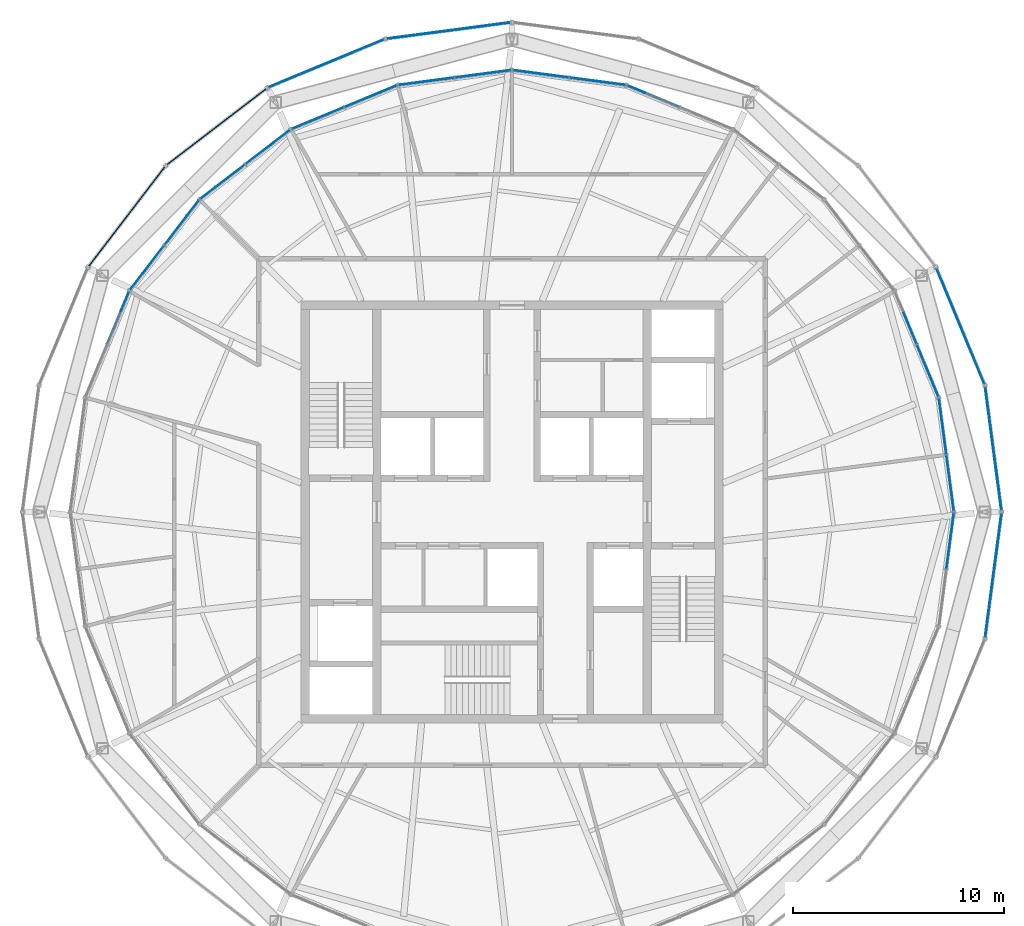
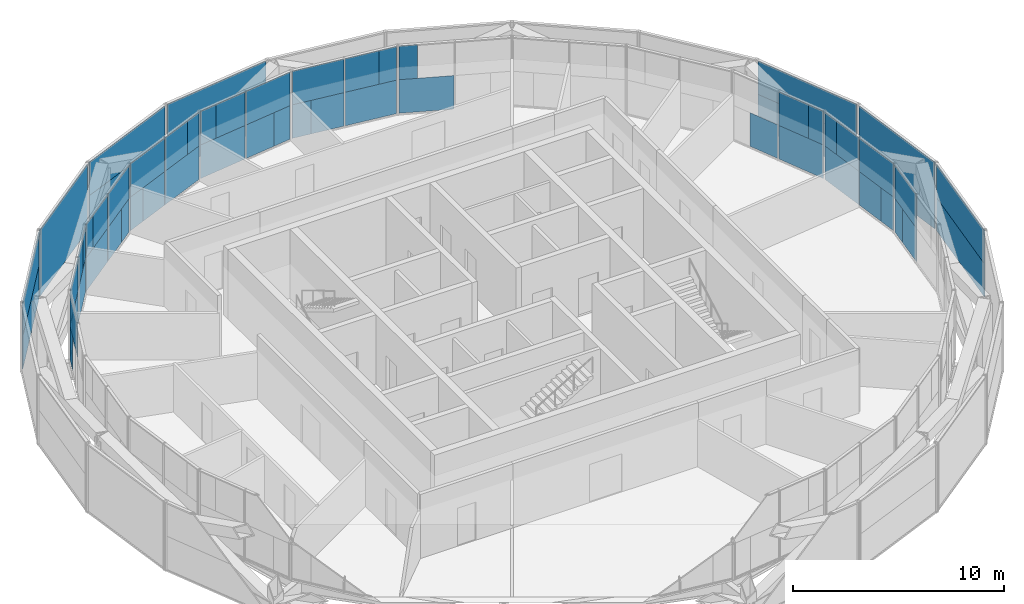
# One storey, part 12 of 17: 58 plates, 17 elements without a shape of their own.
"""IFC4 building model written with IfcOpenShell, lengths in metres."""

from ifc_helpers import new_model, si_unit, direction, frame, origin, origin_2d, place, context, subcontext, project, spatial, rectangle, extrude, material, layer, layer_set, type_object, element, aggregate, save


model = new_model("IFC4")

# Units and contexts
model_context = context("Model", 3, precision=1e-05, world=origin(), true_north=direction((0.0, 1.0)))
body_context = subcontext(model_context, "Body", "Model", "MODEL_VIEW")
ifc_project = project(units=[si_unit("LENGTHUNIT", "METRE"), si_unit("AREAUNIT", "SQUARE_METRE"), si_unit("VOLUMEUNIT", "CUBIC_METRE"), si_unit("PLANEANGLEUNIT", "RADIAN"), si_unit("MASSUNIT", "GRAM", prefix="KILO")], contexts=[model_context])

# Site, building, storey
site_placement = place(None, origin())
site = spatial("IfcSite", under=ifc_project, at=site_placement, CompositionType="ELEMENT")
building_placement = place(site_placement, origin())
building = spatial("IfcBuilding", under=site, at=building_placement, Name="Golbaran Civic Tower", CompositionType="ELEMENT")
storey_placement = place(building_placement, frame((0.0, 0.0, 280.0)))
storey = spatial("IfcBuildingStorey", under=building, at=storey_placement, Name="L68", CompositionType="ELEMENT", Elevation=280.0)

# Curtain wall, plates
ifc_material_1 = material(Name="Aluminium and glass", Category="aluminium")
curtain_wall_type_1 = type_object("IfcCurtainWallType", Name="INNER SKIN CURTAIN WALL EXECUTIVE", PredefinedType="NOTDEFINED", material=ifc_material_1)
curtain_wall_1_placement = place(storey_placement, origin())
curtain_wall_1 = element("IfcCurtainWall", 1, at=curtain_wall_1_placement, inside=storey, type_object=curtain_wall_type_1, Name="Inner skin L68 facet 1 CW2", ObjectType="INNER SKIN", PredefinedType="USERDEFINED")
ifc_material_2 = material(Name="Clear insulating glass", Category="glass")
ifc_layer_1 = layer(ifc_material_2, 0.031982421875, Name="Clear insulating glass")
ifc_layer_set_1 = layer_set([ifc_layer_1], Name="Clear insulating glass")
plate_type_1 = type_object("IfcPlateType", Name="INNER SKIN CURTAIN WALL EXECUTIVE GLAZED PANEL", PredefinedType="CURTAIN_PANEL", material=ifc_layer_set_1)
plate_1_placement = place(storey_placement, frame((20.865966796875, 0.540283203125, 0.06005859375), z_axis=(0.0, 0.0, 1.0), x_axis=(-0.130526192237, 0.991444861372, 0.0)))
plate_1 = element("IfcPlate", 2, at=plate_1_placement, type_object=plate_type_1, Name="CW2 panel 1.1 part 1", PredefinedType="CURTAIN_PANEL", context=body_context, shape_type="SweptSolid", body=[
    extrude(rectangle(XDim=0.969970703125, YDim=0.031982421875, at=origin_2d()), origin(), (0.0, 0.0, 1.0), 1.93994140625),
])
plate_2_placement = place(storey_placement, frame((20.2900390625, 4.914306640625, 2.0), z_axis=(0.0, 0.0, 1.0), x_axis=(-0.130526192237, 0.991444861372, 0.0)))
plate_2 = element("IfcPlate", 3, at=plate_2_placement, type_object=plate_type_1, Name="CW2 panel 2.1 part 3", PredefinedType="CURTAIN_PANEL", context=body_context, shape_type="SweptSolid", body=[
    extrude(rectangle(XDim=0.897705078125, YDim=0.031982421875, at=origin_2d()), origin(), (0.0, 0.0, 1.0), 1.93994140625),
])

# Curtain wall, plate
curtain_wall_2_placement = place(storey_placement, origin())
curtain_wall_2 = element("IfcCurtainWall", 4, at=curtain_wall_2_placement, inside=storey, type_object=curtain_wall_type_1, Name="Inner skin L68 facet 2 CW2", ObjectType="INNER SKIN", PredefinedType="USERDEFINED")
plate_3_placement = place(storey_placement, frame((20.029052734375, 5.888671875, 2.0), z_axis=(0.0, 0.0, 1.0), x_axis=(-0.382683432349, 0.923879532518, 0.0)))
plate_3 = element("IfcPlate", 5, at=plate_3_placement, type_object=plate_type_1, Name="CW2 panel 1.1 part 2", PredefinedType="CURTAIN_PANEL", context=body_context, shape_type="SweptSolid", body=[
    extrude(rectangle(XDim=0.89697265625, YDim=0.031982421875, at=origin_2d()), origin(), (0.0, 0.0, 1.0), 1.93994140625),
])

curtain_wall_3_placement = place(storey_placement, origin())
curtain_wall_3 = element("IfcCurtainWall", 6, at=curtain_wall_3_placement, inside=storey, type_object=curtain_wall_type_1, Name="Inner skin L68 facet 5 CW2", ObjectType="INNER SKIN", PredefinedType="USERDEFINED")
plate_4_placement = place(storey_placement, frame((5.88916015625, 20.02880859375, 2.0), z_axis=(0.0, 0.0, 1.0), x_axis=(-0.923879532518, 0.382683432349, 0.0)))
plate_4 = element("IfcPlate", 7, at=plate_4_placement, type_object=plate_type_1, Name="CW2 panel 2.1 part 3", PredefinedType="CURTAIN_PANEL", context=body_context, shape_type="SweptSolid", body=[
    extrude(rectangle(XDim=0.897705078125, YDim=0.031982421875, at=origin_2d()), origin(), (0.0, 0.0, 1.0), 1.93994140625),
])

# Curtain wall, plates
curtain_wall_4_placement = place(storey_placement, origin())
curtain_wall_4 = element("IfcCurtainWall", 8, at=curtain_wall_4_placement, inside=storey, type_object=curtain_wall_type_1, Name="Inner skin L68 facet 6 CW2", ObjectType="INNER SKIN", PredefinedType="USERDEFINED")
plate_5_placement = place(storey_placement, frame((4.914794921875, 20.2900390625, 2.0), z_axis=(0.0, 0.0, 1.0), x_axis=(-0.991444861372, 0.130526192237, 0.0)))
plate_5 = element("IfcPlate", 9, at=plate_5_placement, type_object=plate_type_1, Name="CW2 panel 1.1 part 2", PredefinedType="CURTAIN_PANEL", context=body_context, shape_type="SweptSolid", body=[
    extrude(rectangle(XDim=0.89697265625, YDim=0.031982421875, at=origin_2d()), origin(), (0.0, 0.0, 1.0), 1.93994140625),
])
plate_6_placement = place(storey_placement, frame((0.540283203125, 20.865966796875, 0.06005859375), z_axis=(0.0, 0.0, 1.0), x_axis=(-0.991444861372, 0.130526192237, 0.0)))
plate_6 = element("IfcPlate", 10, at=plate_6_placement, type_object=plate_type_1, Name="CW2 panel 2.1 part 2", PredefinedType="CURTAIN_PANEL", context=body_context, shape_type="SweptSolid", body=[
    extrude(rectangle(XDim=0.9697265625, YDim=0.031982421875, at=origin_2d()), origin(), (0.0, 0.0, 1.0), 1.93994140625),
])

curtain_wall_5_placement = place(storey_placement, origin())
curtain_wall_5 = element("IfcCurtainWall", 11, at=curtain_wall_5_placement, inside=storey, type_object=curtain_wall_type_1, Name="Inner skin L68 facet 7 CW2", ObjectType="INNER SKIN", PredefinedType="USERDEFINED")
plate_7_placement = place(storey_placement, frame((-0.540283203125, 20.865966796875, 0.06005859375), z_axis=(0.0, 0.0, 1.0), x_axis=(-0.991444861372, -0.130526192237, 0.0)))
plate_7 = element("IfcPlate", 12, at=plate_7_placement, type_object=plate_type_1, Name="CW2 panel 1.1 part 1", PredefinedType="CURTAIN_PANEL", context=body_context, shape_type="SweptSolid", body=[
    extrude(rectangle(XDim=0.969970703125, YDim=0.031982421875, at=origin_2d()), origin(), (0.0, 0.0, 1.0), 1.93994140625),
])
plate_8_placement = place(storey_placement, frame((-4.914306640625, 20.2900390625, 2.0), z_axis=(0.0, 0.0, 1.0), x_axis=(-0.991444861372, -0.130526192237, 0.0)))
plate_8 = element("IfcPlate", 13, at=plate_8_placement, type_object=plate_type_1, Name="CW2 panel 2.1 part 3", PredefinedType="CURTAIN_PANEL", context=body_context, shape_type="SweptSolid", body=[
    extrude(rectangle(XDim=0.897705078125, YDim=0.031982421875, at=origin_2d()), origin(), (0.0, 0.0, 1.0), 1.93994140625),
])

curtain_wall_6_placement = place(storey_placement, origin())
curtain_wall_6 = element("IfcCurtainWall", 14, at=curtain_wall_6_placement, inside=storey, type_object=curtain_wall_type_1, Name="Inner skin L68 facet 8 CW2", ObjectType="INNER SKIN", PredefinedType="USERDEFINED")
plate_9_placement = place(storey_placement, frame((-5.888671875, 20.029052734375, 2.0), z_axis=(0.0, 0.0, 1.0), x_axis=(-0.923879532518, -0.382683432349, 0.0)))
plate_9 = element("IfcPlate", 15, at=plate_9_placement, type_object=plate_type_1, Name="CW2 panel 1.1 part 2", PredefinedType="CURTAIN_PANEL", context=body_context, shape_type="SweptSolid", body=[
    extrude(rectangle(XDim=0.89697265625, YDim=0.031982421875, at=origin_2d()), origin(), (0.0, 0.0, 1.0), 1.93994140625),
])
plate_10_placement = place(storey_placement, frame((-9.965087890625, 18.340576171875, 0.06005859375), z_axis=(0.0, 0.0, 1.0), x_axis=(-0.923879532518, -0.382683432349, 0.0)))
plate_10 = element("IfcPlate", 16, at=plate_10_placement, type_object=plate_type_1, Name="CW2 panel 2.1 part 2", PredefinedType="CURTAIN_PANEL", context=body_context, shape_type="SweptSolid", body=[
    extrude(rectangle(XDim=0.9697265625, YDim=0.031982421875, at=origin_2d()), origin(), (0.0, 0.0, 1.0), 1.93994140625),
])

curtain_wall_7_placement = place(storey_placement, origin())
curtain_wall_7 = element("IfcCurtainWall", 17, at=curtain_wall_7_placement, inside=storey, type_object=curtain_wall_type_1, Name="Inner skin L68 facet 9 CW2", ObjectType="INNER SKIN", PredefinedType="USERDEFINED")
plate_11_placement = place(storey_placement, frame((-10.90087890625, 17.80029296875, 0.06005859375), z_axis=(0.0, 0.0, 1.0), x_axis=(-0.793353340344, -0.608761428939, 0.0)))
plate_11 = element("IfcPlate", 18, at=plate_11_placement, type_object=plate_type_1, Name="CW2 panel 1.1 part 1", PredefinedType="CURTAIN_PANEL", context=body_context, shape_type="SweptSolid", body=[
    extrude(rectangle(XDim=0.969970703125, YDim=0.031982421875, at=origin_2d()), origin(), (0.0, 0.0, 1.0), 1.93994140625),
])
plate_12_placement = place(storey_placement, frame((-14.40087890625, 15.114501953125, 2.0), z_axis=(0.0, 0.0, 1.0), x_axis=(-0.793353340344, -0.608761428939, 0.0)))
plate_12 = element("IfcPlate", 19, at=plate_12_placement, type_object=plate_type_1, Name="CW2 panel 2.1 part 3", PredefinedType="CURTAIN_PANEL", context=body_context, shape_type="SweptSolid", body=[
    extrude(rectangle(XDim=0.897705078125, YDim=0.031982421875, at=origin_2d()), origin(), (0.0, 0.0, 1.0), 1.93994140625),
])

curtain_wall_8_placement = place(storey_placement, origin())
curtain_wall_8 = element("IfcCurtainWall", 20, at=curtain_wall_8_placement, inside=storey, type_object=curtain_wall_type_1, Name="Inner skin L68 facet 10 CW2", ObjectType="INNER SKIN", PredefinedType="USERDEFINED")
plate_13_placement = place(storey_placement, frame((-15.1142578125, 14.4013671875, 2.0), z_axis=(0.0, 0.0, 1.0), x_axis=(-0.608761428939, -0.793353340344, 0.0)))
plate_13 = element("IfcPlate", 21, at=plate_13_placement, type_object=plate_type_1, Name="CW2 panel 1.1 part 2", PredefinedType="CURTAIN_PANEL", context=body_context, shape_type="SweptSolid", body=[
    extrude(rectangle(XDim=0.89697265625, YDim=0.031982421875, at=origin_2d()), origin(), (0.0, 0.0, 1.0), 1.93994140625),
])
plate_14_placement = place(storey_placement, frame((-17.80029296875, 10.90087890625, 0.06005859375), z_axis=(0.0, 0.0, 1.0), x_axis=(-0.608761428939, -0.793353340344, 0.0)))
plate_14 = element("IfcPlate", 22, at=plate_14_placement, type_object=plate_type_1, Name="CW2 panel 2.1 part 2", PredefinedType="CURTAIN_PANEL", context=body_context, shape_type="SweptSolid", body=[
    extrude(rectangle(XDim=0.9697265625, YDim=0.031982421875, at=origin_2d()), origin(), (0.0, 0.0, 1.0), 1.93994140625),
])

# Curtain wall, plate
curtain_wall_9_placement = place(storey_placement, origin())
curtain_wall_9 = element("IfcCurtainWall", 23, at=curtain_wall_9_placement, inside=storey, type_object=curtain_wall_type_1, Name="Inner skin L68 facet 11 CW2", ObjectType="INNER SKIN", PredefinedType="USERDEFINED")
plate_15_placement = place(storey_placement, frame((-18.340576171875, 9.965087890625, 0.06005859375), z_axis=(0.0, 0.0, 1.0), x_axis=(-0.382683432349, -0.923879532518, 0.0)))
plate_15 = element("IfcPlate", 24, at=plate_15_placement, type_object=plate_type_1, Name="CW2 panel 1.1 part 1", PredefinedType="CURTAIN_PANEL", context=body_context, shape_type="SweptSolid", body=[
    extrude(rectangle(XDim=0.969970703125, YDim=0.031982421875, at=origin_2d()), origin(), (0.0, 0.0, 1.0), 1.93994140625),
])

curtain_wall_10_placement = place(storey_placement, origin())
curtain_wall_10 = element("IfcCurtainWall", 25, at=curtain_wall_10_placement, inside=storey, type_object=curtain_wall_type_1, Name="Inner skin L68 facet 24 CW2", ObjectType="INNER SKIN", PredefinedType="USERDEFINED")
plate_16_placement = place(storey_placement, frame((20.865966796875, -0.540283203125, 0.06005859375), z_axis=(0.0, 0.0, 1.0), x_axis=(0.130526192237, 0.991444861372, 0.0)))
plate_16 = element("IfcPlate", 26, at=plate_16_placement, type_object=plate_type_1, Name="CW2 panel 2.1 part 2", PredefinedType="CURTAIN_PANEL", context=body_context, shape_type="SweptSolid", body=[
    extrude(rectangle(XDim=0.9697265625, YDim=0.031982421875, at=origin_2d()), origin(), (0.0, 0.0, 1.0), 1.93994140625),
])

# Plate
ifc_material_3 = material(Name="Aluminium faced opaque infill panel", Category="aluminium")
ifc_layer_2 = layer(ifc_material_3, 0.031982421875, Name="Aluminium faced opaque infill panel")
ifc_layer_set_2 = layer_set([ifc_layer_2], Name="Aluminium faced opaque infill panel")
plate_type_2 = type_object("IfcPlateType", Name="INNER SKIN CURTAIN WALL EXECUTIVE OPAQUE INFILL PANEL", PredefinedType="CURTAIN_PANEL", material=ifc_layer_set_2)
plate_17_placement = place(storey_placement, frame((20.693359375, 1.850341796875, 0.06005859375), z_axis=(0.0, 0.0, 1.0), x_axis=(-0.130526192237, 0.991444861372, 0.0)))
plate_17 = element("IfcPlate", 27, at=plate_17_placement, type_object=plate_type_2, Name="CW2 infill panel 1.1 part 2", PredefinedType="CURTAIN_PANEL", context=body_context, shape_type="SweptSolid", body=[
    extrude(rectangle(XDim=1.6728515625, YDim=0.031982421875, at=origin_2d()), origin(), (0.0, 0.0, 1.0), 1.93994140625),
])

plate_18_placement = place(storey_placement, frame((20.756591796875, 1.36962890625, 2.0), z_axis=(0.0, 0.0, 1.0), x_axis=(-0.130526192237, 0.991444861372, 0.0)))
plate_18 = element("IfcPlate", 28, at=plate_18_placement, type_object=plate_type_2, Name="CW2 infill panel 1.1 part 3", PredefinedType="CURTAIN_PANEL", context=body_context, shape_type="SweptSolid", body=[
    extrude(rectangle(XDim=2.642822265625, YDim=0.031982421875, at=origin_2d()), origin(), (0.0, 0.0, 1.0), 1.93994140625),
])

plate_19_placement = place(storey_placement, frame((20.40380859375, 4.04931640625, 0.06005859375), z_axis=(0.0, 0.0, 1.0), x_axis=(-0.130526192237, 0.991444861372, 0.0)))
plate_19 = element("IfcPlate", 29, at=plate_19_placement, type_object=plate_type_2, Name="CW2 infill panel 2.1 part 1", PredefinedType="CURTAIN_PANEL", context=body_context, shape_type="SweptSolid", body=[
    extrude(rectangle(XDim=2.642822265625, YDim=0.031982421875, at=origin_2d()), origin(), (0.0, 0.0, 1.0), 1.93994140625),
])

plate_20_placement = place(storey_placement, frame((20.46240234375, 3.604248046875, 2.0), z_axis=(0.0, 0.0, 1.0), x_axis=(-0.130526192237, 0.991444861372, 0.0)))
plate_20 = element("IfcPlate", 30, at=plate_20_placement, type_object=plate_type_2, Name="CW2 infill panel 2.1 part 2", PredefinedType="CURTAIN_PANEL", context=body_context, shape_type="SweptSolid", body=[
    extrude(rectangle(XDim=1.7451171875, YDim=0.031982421875, at=origin_2d()), origin(), (0.0, 0.0, 1.0), 1.93994140625),
])

aggregate(curtain_wall_1, [plate_1, plate_17, plate_18, plate_19, plate_20, plate_2])

plate_21_placement = place(storey_placement, frame((19.69482421875, 6.695068359375, 0.06005859375), z_axis=(0.0, 0.0, 1.0), x_axis=(-0.382683432349, 0.923879532518, 0.0)))
plate_21 = element("IfcPlate", 31, at=plate_21_placement, type_object=plate_type_2, Name="CW2 infill panel 1.1 part 1", PredefinedType="CURTAIN_PANEL", context=body_context, shape_type="SweptSolid", body=[
    extrude(rectangle(XDim=2.642822265625, YDim=0.031982421875, at=origin_2d()), origin(), (0.0, 0.0, 1.0), 1.93994140625),
])

plate_22_placement = place(storey_placement, frame((19.523193359375, 7.109619140625, 2.0), z_axis=(0.0, 0.0, 1.0), x_axis=(-0.382683432349, 0.923879532518, 0.0)))
plate_22 = element("IfcPlate", 32, at=plate_22_placement, type_object=plate_type_2, Name="CW2 infill panel 1.1 part 3", PredefinedType="CURTAIN_PANEL", context=body_context, shape_type="SweptSolid", body=[
    extrude(rectangle(XDim=1.745849609375, YDim=0.031982421875, at=origin_2d()), origin(), (0.0, 0.0, 1.0), 1.93994140625),
])

plate_23_placement = place(storey_placement, frame((18.84619140625, 8.744140625, 0.06005859375), z_axis=(0.0, 0.0, 1.0), x_axis=(-0.382683432349, 0.923879532518, 0.0)))
plate_23 = element("IfcPlate", 33, at=plate_23_placement, type_object=plate_type_2, Name="CW2 infill panel 2.1 part 1", PredefinedType="CURTAIN_PANEL", context=body_context, shape_type="SweptSolid", body=[
    extrude(rectangle(XDim=1.673095703125, YDim=0.031982421875, at=origin_2d()), origin(), (0.0, 0.0, 1.0), 1.93994140625),
])

aggregate(curtain_wall_2, [plate_21, plate_3, plate_22, plate_23])

plate_24_placement = place(storey_placement, frame((6.695068359375, 19.69482421875, 0.06005859375), z_axis=(0.0, 0.0, 1.0), x_axis=(-0.923879532518, 0.382683432349, 0.0)))
plate_24 = element("IfcPlate", 34, at=plate_24_placement, type_object=plate_type_2, Name="CW2 infill panel 2.1 part 1", PredefinedType="CURTAIN_PANEL", context=body_context, shape_type="SweptSolid", body=[
    extrude(rectangle(XDim=2.642822265625, YDim=0.031982421875, at=origin_2d()), origin(), (0.0, 0.0, 1.0), 1.93994140625),
])

aggregate(curtain_wall_3, [plate_24, plate_4])

plate_25_placement = place(storey_placement, frame((4.04931640625, 20.40380859375, 0.06005859375), z_axis=(0.0, 0.0, 1.0), x_axis=(-0.991444861372, 0.130526192237, 0.0)))
plate_25 = element("IfcPlate", 35, at=plate_25_placement, type_object=plate_type_2, Name="CW2 infill panel 1.1 part 1", PredefinedType="CURTAIN_PANEL", context=body_context, shape_type="SweptSolid", body=[
    extrude(rectangle(XDim=2.642822265625, YDim=0.031982421875, at=origin_2d()), origin(), (0.0, 0.0, 1.0), 1.93994140625),
])

plate_26_placement = place(storey_placement, frame((3.604736328125, 20.46240234375, 2.0), z_axis=(0.0, 0.0, 1.0), x_axis=(-0.991444861372, 0.130526192237, 0.0)))
plate_26 = element("IfcPlate", 36, at=plate_26_placement, type_object=plate_type_2, Name="CW2 infill panel 1.1 part 3", PredefinedType="CURTAIN_PANEL", context=body_context, shape_type="SweptSolid", body=[
    extrude(rectangle(XDim=1.745849609375, YDim=0.031982421875, at=origin_2d()), origin(), (0.0, 0.0, 1.0), 1.93994140625),
])

plate_27_placement = place(storey_placement, frame((1.850341796875, 20.693359375, 0.06005859375), z_axis=(0.0, 0.0, 1.0), x_axis=(-0.991444861372, 0.130526192237, 0.0)))
plate_27 = element("IfcPlate", 37, at=plate_27_placement, type_object=plate_type_2, Name="CW2 infill panel 2.1 part 1", PredefinedType="CURTAIN_PANEL", context=body_context, shape_type="SweptSolid", body=[
    extrude(rectangle(XDim=1.673095703125, YDim=0.031982421875, at=origin_2d()), origin(), (0.0, 0.0, 1.0), 1.93994140625),
])

plate_28_placement = place(storey_placement, frame((1.36962890625, 20.756591796875, 2.0), z_axis=(0.0, 0.0, 1.0), x_axis=(-0.991444861372, 0.130526192237, 0.0)))
plate_28 = element("IfcPlate", 38, at=plate_28_placement, type_object=plate_type_2, Name="CW2 infill panel 2.1 part 3", PredefinedType="CURTAIN_PANEL", context=body_context, shape_type="SweptSolid", body=[
    extrude(rectangle(XDim=2.642822265625, YDim=0.031982421875, at=origin_2d()), origin(), (0.0, 0.0, 1.0), 1.93994140625),
])

aggregate(curtain_wall_4, [plate_25, plate_5, plate_26, plate_27, plate_6, plate_28])

plate_29_placement = place(storey_placement, frame((-1.850341796875, 20.693359375, 0.06005859375), z_axis=(0.0, 0.0, 1.0), x_axis=(-0.991444861372, -0.130526192237, 0.0)))
plate_29 = element("IfcPlate", 39, at=plate_29_placement, type_object=plate_type_2, Name="CW2 infill panel 1.1 part 2", PredefinedType="CURTAIN_PANEL", context=body_context, shape_type="SweptSolid", body=[
    extrude(rectangle(XDim=1.6728515625, YDim=0.031982421875, at=origin_2d()), origin(), (0.0, 0.0, 1.0), 1.93994140625),
])

plate_30_placement = place(storey_placement, frame((-1.36962890625, 20.756591796875, 2.0), z_axis=(0.0, 0.0, 1.0), x_axis=(-0.991444861372, -0.130526192237, 0.0)))
plate_30 = element("IfcPlate", 40, at=plate_30_placement, type_object=plate_type_2, Name="CW2 infill panel 1.1 part 3", PredefinedType="CURTAIN_PANEL", context=body_context, shape_type="SweptSolid", body=[
    extrude(rectangle(XDim=2.642822265625, YDim=0.031982421875, at=origin_2d()), origin(), (0.0, 0.0, 1.0), 1.93994140625),
])

plate_31_placement = place(storey_placement, frame((-4.04931640625, 20.40380859375, 0.06005859375), z_axis=(0.0, 0.0, 1.0), x_axis=(-0.991444861372, -0.130526192237, 0.0)))
plate_31 = element("IfcPlate", 41, at=plate_31_placement, type_object=plate_type_2, Name="CW2 infill panel 2.1 part 1", PredefinedType="CURTAIN_PANEL", context=body_context, shape_type="SweptSolid", body=[
    extrude(rectangle(XDim=2.642822265625, YDim=0.031982421875, at=origin_2d()), origin(), (0.0, 0.0, 1.0), 1.93994140625),
])

plate_32_placement = place(storey_placement, frame((-3.604248046875, 20.46240234375, 2.0), z_axis=(0.0, 0.0, 1.0), x_axis=(-0.991444861372, -0.130526192237, 0.0)))
plate_32 = element("IfcPlate", 42, at=plate_32_placement, type_object=plate_type_2, Name="CW2 infill panel 2.1 part 2", PredefinedType="CURTAIN_PANEL", context=body_context, shape_type="SweptSolid", body=[
    extrude(rectangle(XDim=1.7451171875, YDim=0.031982421875, at=origin_2d()), origin(), (0.0, 0.0, 1.0), 1.93994140625),
])

aggregate(curtain_wall_5, [plate_7, plate_29, plate_30, plate_31, plate_32, plate_8])

plate_33_placement = place(storey_placement, frame((-6.695068359375, 19.69482421875, 0.06005859375), z_axis=(0.0, 0.0, 1.0), x_axis=(-0.923879532518, -0.382683432349, 0.0)))
plate_33 = element("IfcPlate", 43, at=plate_33_placement, type_object=plate_type_2, Name="CW2 infill panel 1.1 part 1", PredefinedType="CURTAIN_PANEL", context=body_context, shape_type="SweptSolid", body=[
    extrude(rectangle(XDim=2.642822265625, YDim=0.031982421875, at=origin_2d()), origin(), (0.0, 0.0, 1.0), 1.93994140625),
])

plate_34_placement = place(storey_placement, frame((-7.109619140625, 19.523193359375, 2.0), z_axis=(0.0, 0.0, 1.0), x_axis=(-0.923879532518, -0.382683432349, 0.0)))
plate_34 = element("IfcPlate", 44, at=plate_34_placement, type_object=plate_type_2, Name="CW2 infill panel 1.1 part 3", PredefinedType="CURTAIN_PANEL", context=body_context, shape_type="SweptSolid", body=[
    extrude(rectangle(XDim=1.745849609375, YDim=0.031982421875, at=origin_2d()), origin(), (0.0, 0.0, 1.0), 1.93994140625),
])

plate_35_placement = place(storey_placement, frame((-8.744140625, 18.84619140625, 0.06005859375), z_axis=(0.0, 0.0, 1.0), x_axis=(-0.923879532518, -0.382683432349, 0.0)))
plate_35 = element("IfcPlate", 45, at=plate_35_placement, type_object=plate_type_2, Name="CW2 infill panel 2.1 part 1", PredefinedType="CURTAIN_PANEL", context=body_context, shape_type="SweptSolid", body=[
    extrude(rectangle(XDim=1.673095703125, YDim=0.031982421875, at=origin_2d()), origin(), (0.0, 0.0, 1.0), 1.93994140625),
])

plate_36_placement = place(storey_placement, frame((-9.192138671875, 18.66064453125, 2.0), z_axis=(0.0, 0.0, 1.0), x_axis=(-0.923879532518, -0.382683432349, 0.0)))
plate_36 = element("IfcPlate", 46, at=plate_36_placement, type_object=plate_type_2, Name="CW2 infill panel 2.1 part 3", PredefinedType="CURTAIN_PANEL", context=body_context, shape_type="SweptSolid", body=[
    extrude(rectangle(XDim=2.642822265625, YDim=0.031982421875, at=origin_2d()), origin(), (0.0, 0.0, 1.0), 1.93994140625),
])

aggregate(curtain_wall_6, [plate_33, plate_9, plate_34, plate_35, plate_10, plate_36])

plate_37_placement = place(storey_placement, frame((-11.94921875, 16.995849609375, 0.06005859375), z_axis=(0.0, 0.0, 1.0), x_axis=(-0.793353340344, -0.608761428939, 0.0)))
plate_37 = element("IfcPlate", 47, at=plate_37_placement, type_object=plate_type_2, Name="CW2 infill panel 1.1 part 2", PredefinedType="CURTAIN_PANEL", context=body_context, shape_type="SweptSolid", body=[
    extrude(rectangle(XDim=1.6728515625, YDim=0.031982421875, at=origin_2d()), origin(), (0.0, 0.0, 1.0), 1.93994140625),
])

plate_38_placement = place(storey_placement, frame((-11.564453125, 17.291015625, 2.0), z_axis=(0.0, 0.0, 1.0), x_axis=(-0.793353340344, -0.608761428939, 0.0)))
plate_38 = element("IfcPlate", 48, at=plate_38_placement, type_object=plate_type_2, Name="CW2 infill panel 1.1 part 3", PredefinedType="CURTAIN_PANEL", context=body_context, shape_type="SweptSolid", body=[
    extrude(rectangle(XDim=2.642822265625, YDim=0.031982421875, at=origin_2d()), origin(), (0.0, 0.0, 1.0), 1.93994140625),
])

plate_39_placement = place(storey_placement, frame((-13.708740234375, 15.645751953125, 0.06005859375), z_axis=(0.0, 0.0, 1.0), x_axis=(-0.793353340344, -0.608761428939, 0.0)))
plate_39 = element("IfcPlate", 49, at=plate_39_placement, type_object=plate_type_2, Name="CW2 infill panel 2.1 part 1", PredefinedType="CURTAIN_PANEL", context=body_context, shape_type="SweptSolid", body=[
    extrude(rectangle(XDim=2.642822265625, YDim=0.031982421875, at=origin_2d()), origin(), (0.0, 0.0, 1.0), 1.93994140625),
])

plate_40_placement = place(storey_placement, frame((-13.3525390625, 15.9189453125, 2.0), z_axis=(0.0, 0.0, 1.0), x_axis=(-0.793353340344, -0.608761428939, 0.0)))
plate_40 = element("IfcPlate", 50, at=plate_40_placement, type_object=plate_type_2, Name="CW2 infill panel 2.1 part 2", PredefinedType="CURTAIN_PANEL", context=body_context, shape_type="SweptSolid", body=[
    extrude(rectangle(XDim=1.7451171875, YDim=0.031982421875, at=origin_2d()), origin(), (0.0, 0.0, 1.0), 1.93994140625),
])

aggregate(curtain_wall_7, [plate_11, plate_37, plate_38, plate_39, plate_40, plate_12])

plate_41_placement = place(storey_placement, frame((-15.645751953125, 13.708740234375, 0.06005859375), z_axis=(0.0, 0.0, 1.0), x_axis=(-0.608761428939, -0.793353340344, 0.0)))
plate_41 = element("IfcPlate", 51, at=plate_41_placement, type_object=plate_type_2, Name="CW2 infill panel 1.1 part 1", PredefinedType="CURTAIN_PANEL", context=body_context, shape_type="SweptSolid", body=[
    extrude(rectangle(XDim=2.642822265625, YDim=0.031982421875, at=origin_2d()), origin(), (0.0, 0.0, 1.0), 1.93994140625),
])

plate_42_placement = place(storey_placement, frame((-15.918701171875, 13.35302734375, 2.0), z_axis=(0.0, 0.0, 1.0), x_axis=(-0.608761428939, -0.793353340344, 0.0)))
plate_42 = element("IfcPlate", 52, at=plate_42_placement, type_object=plate_type_2, Name="CW2 infill panel 1.1 part 3", PredefinedType="CURTAIN_PANEL", context=body_context, shape_type="SweptSolid", body=[
    extrude(rectangle(XDim=1.745849609375, YDim=0.031982421875, at=origin_2d()), origin(), (0.0, 0.0, 1.0), 1.93994140625),
])

plate_43_placement = place(storey_placement, frame((-16.995849609375, 11.94921875, 0.06005859375), z_axis=(0.0, 0.0, 1.0), x_axis=(-0.608761428939, -0.793353340344, 0.0)))
plate_43 = element("IfcPlate", 53, at=plate_43_placement, type_object=plate_type_2, Name="CW2 infill panel 2.1 part 1", PredefinedType="CURTAIN_PANEL", context=body_context, shape_type="SweptSolid", body=[
    extrude(rectangle(XDim=1.673095703125, YDim=0.031982421875, at=origin_2d()), origin(), (0.0, 0.0, 1.0), 1.93994140625),
])

plate_44_placement = place(storey_placement, frame((-17.291015625, 11.564453125, 2.0), z_axis=(0.0, 0.0, 1.0), x_axis=(-0.608761428939, -0.793353340344, 0.0)))
plate_44 = element("IfcPlate", 54, at=plate_44_placement, type_object=plate_type_2, Name="CW2 infill panel 2.1 part 3", PredefinedType="CURTAIN_PANEL", context=body_context, shape_type="SweptSolid", body=[
    extrude(rectangle(XDim=2.642822265625, YDim=0.031982421875, at=origin_2d()), origin(), (0.0, 0.0, 1.0), 1.93994140625),
])

aggregate(curtain_wall_8, [plate_41, plate_13, plate_42, plate_43, plate_14, plate_44])

plate_45_placement = place(storey_placement, frame((-18.66064453125, 9.192138671875, 2.0), z_axis=(0.0, 0.0, 1.0), x_axis=(-0.382683432349, -0.923879532518, 0.0)))
plate_45 = element("IfcPlate", 55, at=plate_45_placement, type_object=plate_type_2, Name="CW2 infill panel 1.1 part 3", PredefinedType="CURTAIN_PANEL", context=body_context, shape_type="SweptSolid", body=[
    extrude(rectangle(XDim=2.642822265625, YDim=0.031982421875, at=origin_2d()), origin(), (0.0, 0.0, 1.0), 1.93994140625),
])

aggregate(curtain_wall_9, [plate_15, plate_45])

plate_46_placement = place(storey_placement, frame((20.693359375, -1.850341796875, 0.06005859375), z_axis=(0.0, 0.0, 1.0), x_axis=(0.130526192237, 0.991444861372, 0.0)))
plate_46 = element("IfcPlate", 56, at=plate_46_placement, type_object=plate_type_2, Name="CW2 infill panel 2.1 part 1", PredefinedType="CURTAIN_PANEL", context=body_context, shape_type="SweptSolid", body=[
    extrude(rectangle(XDim=1.673095703125, YDim=0.031982421875, at=origin_2d()), origin(), (0.0, 0.0, 1.0), 1.93994140625),
])

plate_47_placement = place(storey_placement, frame((20.756591796875, -1.36962890625, 2.0), z_axis=(0.0, 0.0, 1.0), x_axis=(0.130526192237, 0.991444861372, 0.0)))
plate_47 = element("IfcPlate", 57, at=plate_47_placement, type_object=plate_type_2, Name="CW2 infill panel 2.1 part 3", PredefinedType="CURTAIN_PANEL", context=body_context, shape_type="SweptSolid", body=[
    extrude(rectangle(XDim=2.642822265625, YDim=0.031982421875, at=origin_2d()), origin(), (0.0, 0.0, 1.0), 1.93994140625),
])

aggregate(curtain_wall_10, [plate_46, plate_16, plate_47])

# Curtain wall, plates
curtain_wall_type_2 = type_object("IfcCurtainWallType", Name="OUTER SKIN TERRACOTTA SCREEN", PredefinedType="NOTDEFINED", material=ifc_material_1)
curtain_wall_11_placement = place(storey_placement, origin())
curtain_wall_11 = element("IfcCurtainWall", 58, at=curtain_wall_11_placement, inside=storey, type_object=curtain_wall_type_2, Name="Outer skin L68 facet 2 CW3", ObjectType="OUTER SKIN", PredefinedType="USERDEFINED")
ifc_material_4 = material(Name="Terracotta baguette screen", Category="masonry")
ifc_layer_3 = layer(ifc_material_4, 0.0400390625, Name="Terracotta baguette screen")
ifc_layer_set_3 = layer_set([ifc_layer_3], Name="Terracotta baguette screen")
plate_type_3 = type_object("IfcPlateType", Name="OUTER SKIN TERRACOTTA INFILL PANEL", PredefinedType="CURTAIN_PANEL", material=ifc_layer_set_3)
plate_48_placement = place(storey_placement, frame((21.250732421875, 8.80224609375, -0.6298828125), z_axis=(0.0, 0.0, 1.0), x_axis=(-0.382683432333, 0.923879532525, 0.0)))
plate_48 = element("IfcPlate", 59, at=plate_48_placement, type_object=plate_type_3, Name="CW3 infill panel 1.1 part 1", PredefinedType="CURTAIN_PANEL", context=body_context, shape_type="SweptSolid", body=[
    extrude(rectangle(XDim=5.896484375, YDim=0.0400390625, at=origin_2d()), origin(), (0.0, 0.0, 1.0), 1.919921875),
])
plate_49_placement = place(storey_placement, frame((21.250732421875, 8.80224609375, 1.2900390625), z_axis=(0.0, 0.0, 1.0), x_axis=(-0.382683432333, 0.923879532525, 0.0)))
plate_49 = element("IfcPlate", 60, at=plate_49_placement, type_object=plate_type_3, Name="CW3 infill panel 1.1 part 2", PredefinedType="CURTAIN_PANEL", context=body_context, shape_type="SweptSolid", body=[
    extrude(rectangle(XDim=5.896484375, YDim=0.0400390625, at=origin_2d()), origin(), (0.0, 0.0, 1.0), 1.919921875),
])
aggregate(curtain_wall_11, [plate_48, plate_49])

curtain_wall_12_placement = place(storey_placement, origin())
curtain_wall_12 = element("IfcCurtainWall", 61, at=curtain_wall_12_placement, inside=storey, type_object=curtain_wall_type_2, Name="Outer skin L68 facet 8 CW3", ObjectType="OUTER SKIN", PredefinedType="USERDEFINED")
plate_50_placement = place(storey_placement, frame((-8.80224609375, 21.250732421875, -0.6298828125), z_axis=(0.0, 0.0, 1.0), x_axis=(-0.923879532525, -0.382683432333, 0.0)))
plate_50 = element("IfcPlate", 62, at=plate_50_placement, type_object=plate_type_3, Name="CW3 infill panel 1.1 part 1", PredefinedType="CURTAIN_PANEL", context=body_context, shape_type="SweptSolid", body=[
    extrude(rectangle(XDim=5.896484375, YDim=0.0400390625, at=origin_2d()), origin(), (0.0, 0.0, 1.0), 1.919921875),
])
plate_51_placement = place(storey_placement, frame((-8.80224609375, 21.250732421875, 1.2900390625), z_axis=(0.0, 0.0, 1.0), x_axis=(-0.923879532525, -0.382683432333, 0.0)))
plate_51 = element("IfcPlate", 63, at=plate_51_placement, type_object=plate_type_3, Name="CW3 infill panel 1.1 part 2", PredefinedType="CURTAIN_PANEL", context=body_context, shape_type="SweptSolid", body=[
    extrude(rectangle(XDim=5.896484375, YDim=0.0400390625, at=origin_2d()), origin(), (0.0, 0.0, 1.0), 1.919921875),
])
aggregate(curtain_wall_12, [plate_50, plate_51])

curtain_wall_13_placement = place(storey_placement, origin())
curtain_wall_13 = element("IfcCurtainWall", 64, at=curtain_wall_13_placement, inside=storey, type_object=curtain_wall_type_2, Name="Outer skin L68 facet 10 CW3", ObjectType="OUTER SKIN", PredefinedType="USERDEFINED")
plate_52_placement = place(storey_placement, frame((-18.248291015625, 14.00244140625, -0.6298828125), z_axis=(0.0, 0.0, 1.0), x_axis=(-0.608761428939, -0.793353340344, 0.0)))
plate_52 = element("IfcPlate", 65, at=plate_52_placement, type_object=plate_type_3, Name="CW3 infill panel 1.1 part 1", PredefinedType="CURTAIN_PANEL", context=body_context, shape_type="SweptSolid", body=[
    extrude(rectangle(XDim=5.896484375, YDim=0.0400390625, at=origin_2d()), origin(), (0.0, 0.0, 1.0), 1.919921875),
])
plate_53_placement = place(storey_placement, frame((-18.248291015625, 14.00244140625, 1.2900390625), z_axis=(0.0, 0.0, 1.0), x_axis=(-0.608761428939, -0.793353340344, 0.0)))
plate_53 = element("IfcPlate", 66, at=plate_53_placement, type_object=plate_type_3, Name="CW3 infill panel 1.1 part 2", PredefinedType="CURTAIN_PANEL", context=body_context, shape_type="SweptSolid", body=[
    extrude(rectangle(XDim=5.896484375, YDim=0.0400390625, at=origin_2d()), origin(), (0.0, 0.0, 1.0), 1.919921875),
])
aggregate(curtain_wall_13, [plate_52, plate_53])

curtain_wall_14_placement = place(storey_placement, origin())
curtain_wall_14 = element("IfcCurtainWall", 67, at=curtain_wall_14_placement, inside=storey, type_object=curtain_wall_type_2, Name="Outer skin L68 facet 24 CW3", ObjectType="OUTER SKIN", PredefinedType="USERDEFINED")
plate_54_placement = place(storey_placement, frame((22.8046875, -3.002197265625, -0.6298828125), z_axis=(0.0, 0.0, 1.0), x_axis=(0.13052619222, 0.991444861374, 0.0)))
plate_54 = element("IfcPlate", 68, at=plate_54_placement, type_object=plate_type_3, Name="CW3 infill panel 1.1 part 1", PredefinedType="CURTAIN_PANEL", context=body_context, shape_type="SweptSolid", body=[
    extrude(rectangle(XDim=5.896484375, YDim=0.0400390625, at=origin_2d()), origin(), (0.0, 0.0, 1.0), 1.919921875),
])
plate_55_placement = place(storey_placement, frame((22.8046875, -3.002197265625, 1.2900390625), z_axis=(0.0, 0.0, 1.0), x_axis=(0.13052619222, 0.991444861374, 0.0)))
plate_55 = element("IfcPlate", 69, at=plate_55_placement, type_object=plate_type_3, Name="CW3 infill panel 1.1 part 2", PredefinedType="CURTAIN_PANEL", context=body_context, shape_type="SweptSolid", body=[
    extrude(rectangle(XDim=5.896484375, YDim=0.0400390625, at=origin_2d()), origin(), (0.0, 0.0, 1.0), 1.919921875),
])
aggregate(curtain_wall_14, [plate_54, plate_55])

# Curtain wall, plate
curtain_wall_15_placement = place(storey_placement, origin())
curtain_wall_15 = element("IfcCurtainWall", 70, at=curtain_wall_15_placement, inside=storey, type_object=curtain_wall_type_2, Name="Outer skin L68 facet 1 CW3", ObjectType="OUTER SKIN", PredefinedType="USERDEFINED")
ifc_layer_4 = layer(ifc_material_4, 0.0400390625, Name="Terracotta baguette screen")
ifc_layer_set_4 = layer_set([ifc_layer_4], Name="Terracotta baguette screen")
plate_type_4 = type_object("IfcPlateType", Name="OUTER SKIN TERRACOTTA SCREEN PANEL", PredefinedType="CURTAIN_PANEL", material=ifc_layer_set_4)
plate_56_placement = place(storey_placement, frame((22.8046875, 3.002197265625, -0.6298828125), z_axis=(0.0, 0.0, 1.0), x_axis=(-0.13052619222, 0.991444861374, 0.0)))
plate_56 = element("IfcPlate", 71, at=plate_56_placement, type_object=plate_type_4, Name="CW3 terracotta screen panel 1.1", PredefinedType="CURTAIN_PANEL", context=body_context, shape_type="SweptSolid", body=[
    extrude(rectangle(XDim=5.896484375, YDim=0.0400390625, at=origin_2d()), origin(), (0.0, 0.0, 1.0), 3.840087890625),
])
aggregate(curtain_wall_15, [plate_56])

curtain_wall_16_placement = place(storey_placement, origin())
curtain_wall_16 = element("IfcCurtainWall", 72, at=curtain_wall_16_placement, inside=storey, type_object=curtain_wall_type_2, Name="Outer skin L68 facet 7 CW3", ObjectType="OUTER SKIN", PredefinedType="USERDEFINED")
plate_57_placement = place(storey_placement, frame((-3.002197265625, 22.8046875, -0.6298828125), z_axis=(0.0, 0.0, 1.0), x_axis=(-0.991444861374, -0.13052619222, 0.0)))
plate_57 = element("IfcPlate", 73, at=plate_57_placement, type_object=plate_type_4, Name="CW3 terracotta screen panel 1.1", PredefinedType="CURTAIN_PANEL", context=body_context, shape_type="SweptSolid", body=[
    extrude(rectangle(XDim=5.896484375, YDim=0.0400390625, at=origin_2d()), origin(), (0.0, 0.0, 1.0), 3.840087890625),
])
aggregate(curtain_wall_16, [plate_57])

curtain_wall_17_placement = place(storey_placement, origin())
curtain_wall_17 = element("IfcCurtainWall", 74, at=curtain_wall_17_placement, inside=storey, type_object=curtain_wall_type_2, Name="Outer skin L68 facet 9 CW3", ObjectType="OUTER SKIN", PredefinedType="USERDEFINED")
plate_58_placement = place(storey_placement, frame((-14.00244140625, 18.248291015625, -0.6298828125), z_axis=(0.0, 0.0, 1.0), x_axis=(-0.793353340344, -0.608761428939, 0.0)))
plate_58 = element("IfcPlate", 75, at=plate_58_placement, type_object=plate_type_4, Name="CW3 terracotta screen panel 1.1", PredefinedType="CURTAIN_PANEL", context=body_context, shape_type="SweptSolid", body=[
    extrude(rectangle(XDim=5.896484375, YDim=0.0400390625, at=origin_2d()), origin(), (0.0, 0.0, 1.0), 3.840087890625),
])
aggregate(curtain_wall_17, [plate_58])

save(model, "model.ifc")
